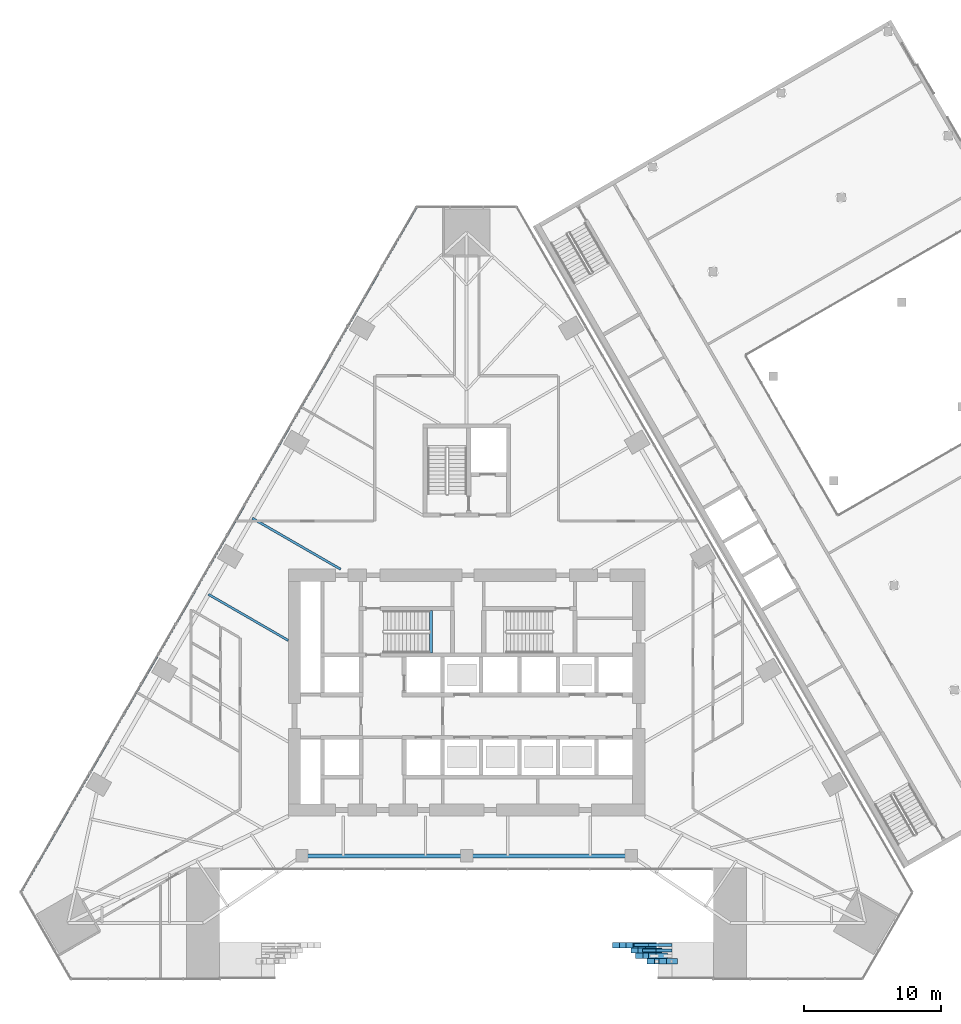
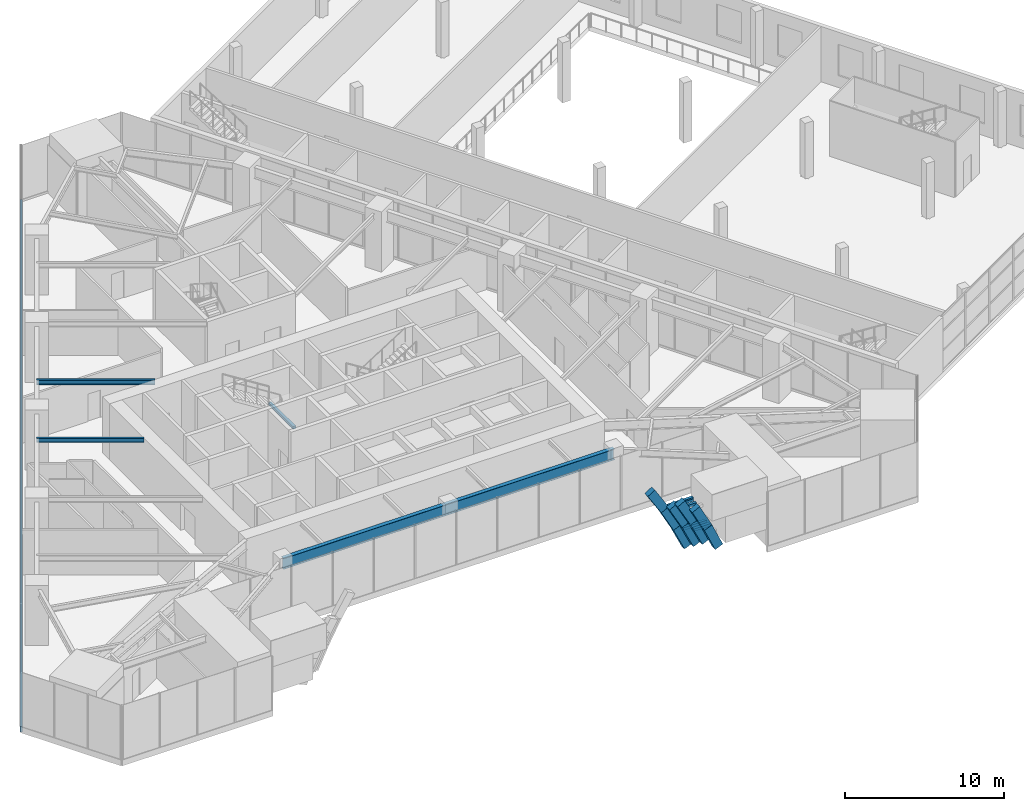
# One storey, part 5 of 30: 10 members, 9 beams, 1 element without a shape of its own.
"""IFC4 building model written with IfcOpenShell, lengths in metres."""

from ifc_helpers import new_model, si_unit, direction, frame, origin, origin_2d, place, context, subcontext, project, spatial, rectangle, i_section, extrude, material, layer, layer_set, material_profile, profile_set, type_object, element, aggregate, save


model = new_model("IFC4")

# Units and contexts
model_context = context("Model", 3, precision=1e-05, world=origin(), true_north=direction((0.0, 1.0)))
body_context = subcontext(model_context, "Body", "Model", "MODEL_VIEW")
ifc_project = project(units=[si_unit("LENGTHUNIT", "METRE"), si_unit("AREAUNIT", "SQUARE_METRE"), si_unit("VOLUMEUNIT", "CUBIC_METRE"), si_unit("PLANEANGLEUNIT", "RADIAN"), si_unit("MASSUNIT", "GRAM", prefix="KILO")], contexts=[model_context])

# Site, building, storey
site_placement = place(None, origin())
site = spatial("IfcSite", under=ifc_project, at=site_placement, CompositionType="ELEMENT")
building_placement = place(site_placement, origin())
building = spatial("IfcBuilding", under=site, at=building_placement, Name="Firuza Gate Tower and Library", CompositionType="ELEMENT")
storey_placement = place(building_placement, frame((0.0, 0.0, 12.60009765625)))
storey = spatial("IfcBuildingStorey", under=building, at=storey_placement, Name="L02", CompositionType="ELEMENT", Elevation=12.60009765625)

# Members
ifc_material_1 = material(Name="Concrete C60/75", Category="concrete")
ifc_material_profile_1 = material_profile(ifc_material_1, rectangle(XDim=0.39990234375, YDim=0.60009765625, at=origin_2d()))
ifc_profile_set_1 = profile_set([ifc_material_profile_1], Name="Concrete C60/75")
member_type_1 = type_object("IfcMemberType", Name="Arch rib 600x400", PredefinedType="USERDEFINED", material=ifc_profile_set_1)
member_1_placement = place(storey_placement, frame((88.416748046875, 55.415283203125, 3.859619140625), z_axis=(0.462587848354, 0.0, -0.886573450175), x_axis=(0.0, 1.0, 0.0)))
element("IfcMember", 1, at=member_1_placement, inside=storey, type_object=member_type_1, Name="Arch rib 1.30", ObjectType="ARCH RIB", PredefinedType="USERDEFINED", context=body_context, shape_type="SweptSolid", body=[
    extrude(rectangle(XDim=0.39990234375, YDim=0.60009765625, at=origin_2d()), origin(), (0.0, 0.0, 1.0), 1.909912109375),
])
member_2_placement = place(storey_placement, frame((89.30029296875, 55.415283203125, 2.166259765625), z_axis=(0.411692882507, 0.0, -0.911322648952), x_axis=(0.0, 1.0, 0.0)))
element("IfcMember", 2, at=member_2_placement, inside=storey, type_object=member_type_1, Name="Arch rib 1.31", ObjectType="ARCH RIB", PredefinedType="USERDEFINED", context=body_context, shape_type="SweptSolid", body=[
    extrude(rectangle(XDim=0.39990234375, YDim=0.60009765625, at=origin_2d()), origin(), (0.0, 0.0, 1.0), 1.91015625),
])
member_3_placement = place(storey_placement, frame((87.580322265625, 55.8154296875, 4.344482421875), z_axis=(0.481890268122, 0.0, -0.876231572982), x_axis=(0.0, 1.0, 0.0)))
element("IfcMember", 3, at=member_3_placement, inside=storey, type_object=member_type_1, Name="Arch rib 2.28", ObjectType="ARCH RIB", PredefinedType="USERDEFINED", context=body_context, shape_type="SweptSolid", body=[
    extrude(rectangle(XDim=0.39990234375, YDim=0.60009765625, at=origin_2d()), origin(), (0.0, 0.0, 1.0), 1.974365234375),
])
member_4_placement = place(storey_placement, frame((88.53173828125, 55.8154296875, 2.614501953125), z_axis=(0.429170304413, 0.0, -0.903223587939), x_axis=(0.0, 1.0, 0.0)))
element("IfcMember", 4, at=member_4_placement, inside=storey, type_object=member_type_1, Name="Arch rib 2.29", ObjectType="ARCH RIB", PredefinedType="USERDEFINED", context=body_context, shape_type="SweptSolid", body=[
    extrude(rectangle(XDim=0.39990234375, YDim=0.60009765625, at=origin_2d()), origin(), (0.0, 0.0, 1.0), 1.974609375),
])
for number, where, z_axis, x_axis, name in (
    (5, (87.22119140625, 56.21533203125, 4.00244140625), (0.477373396216, 0.0, -0.878700540904), (0.0, 1.0, 0.0), "Arch rib 3.28"),
    (6, (88.143798828125, 56.21533203125, 2.30419921875), (0.425200760044, 0.0, -0.905099062898), (0.0, 1.0, 0.0), "Arch rib 3.29"),
):
    element("IfcMember", number, at=place(storey_placement, frame(where, z_axis=z_axis, x_axis=x_axis)), inside=storey, type_object=member_type_1, Name=name, ObjectType="ARCH RIB", PredefinedType="USERDEFINED", context=body_context, shape_type="SweptSolid", body=[
        extrude(rectangle(XDim=0.39990234375, YDim=0.60009765625, at=origin_2d()), origin(), (0.0, 0.0, 1.0), 1.9326171875),
    ])
member_5_placement = place(storey_placement, frame((85.87255859375, 56.615478515625, 5.272705078125), z_axis=(0.52308868496, 0.0, -0.852278257183), x_axis=(0.0, 1.0, 0.0)))
element("IfcMember", 7, at=member_5_placement, inside=storey, type_object=member_type_1, Name="Arch rib 4.27", ObjectType="ARCH RIB", PredefinedType="USERDEFINED", context=body_context, shape_type="SweptSolid", body=[
    extrude(rectangle(XDim=0.39990234375, YDim=0.60009765625, at=origin_2d()), origin(), (0.0, 0.0, 1.0), 1.89111328125),
])
member_6_placement = place(storey_placement, frame((86.86181640625, 56.615478515625, 3.660888671875), z_axis=(0.472798144495, 0.0, -0.881170763565), x_axis=(0.0, 1.0, 0.0)))
element("IfcMember", 8, at=member_6_placement, inside=storey, type_object=member_type_1, Name="Arch rib 4.28", ObjectType="ARCH RIB", PredefinedType="USERDEFINED", context=body_context, shape_type="SweptSolid", body=[
    extrude(rectangle(XDim=0.39990234375, YDim=0.60009765625, at=origin_2d()), origin(), (0.0, 0.0, 1.0), 1.890869140625),
])
member_7_placement = place(storey_placement, frame((87.755859375, 56.615478515625, 1.99462890625), z_axis=(0.420997510254, 0.0, -0.907061793022), x_axis=(0.0, 1.0, 0.0)))
element("IfcMember", 9, at=member_7_placement, inside=storey, type_object=member_type_1, Name="Arch rib 4.29", ObjectType="ARCH RIB", PredefinedType="USERDEFINED", context=body_context, shape_type="SweptSolid", body=[
    extrude(rectangle(XDim=0.39990234375, YDim=0.60009765625, at=origin_2d()), origin(), (0.0, 0.0, 1.0), 1.89111328125),
])

# Beams
ifc_material_2 = material(Name="Concrete C60/75", Category="concrete")
ifc_material_profile_2 = material_profile(ifc_material_2, rectangle(XDim=0.199951171875, YDim=0.199951171875, at=origin_2d()))
ifc_profile_set_2 = profile_set([ifc_material_profile_2], Name="Concrete C60/75")
beam_type_1 = type_object("IfcBeamType", Name="Arch rib bracket 200x200", PredefinedType="BEAM", material=ifc_profile_set_2)
beam_1_placement = place(storey_placement, frame((88.9853515625, 56.21533203125, 3.552978515625), z_axis=(-1.0, 0.0, 0.0), x_axis=(0.0, -1.0, 0.0)))
element("IfcBeam", 10, at=beam_1_placement, inside=storey, type_object=beam_type_1, Name="Arch rib bracket 3.28", PredefinedType="BEAM", context=body_context, shape_type="SweptSolid", body=[
    extrude(rectangle(XDim=0.199951171875, YDim=0.199951171875, at=origin_2d()), origin(), (0.0, 0.0, 1.0), 1.1884765625),
])
beam_2_placement = place(storey_placement, frame((89.96875, 56.21533203125, 1.594482421875), z_axis=(-1.0, 0.0, 0.0), x_axis=(0.0, -1.0, 0.0)))
element("IfcBeam", 11, at=beam_2_placement, inside=storey, type_object=beam_type_1, Name="Arch rib bracket 3.29", PredefinedType="BEAM", context=body_context, shape_type="SweptSolid", body=[
    extrude(rectangle(XDim=0.199951171875, YDim=0.199951171875, at=origin_2d()), origin(), (0.0, 0.0, 1.0), 1.169921875),
])
beam_3_placement = place(storey_placement, frame((88.9853515625, 56.615478515625, 3.7109375), z_axis=(-1.0, 0.0, 0.0), x_axis=(0.0, -1.0, 0.0)))
element("IfcBeam", 12, at=beam_3_placement, inside=storey, type_object=beam_type_1, Name="Arch rib bracket 4.27", PredefinedType="BEAM", context=body_context, shape_type="SweptSolid", body=[
    extrude(rectangle(XDim=0.199951171875, YDim=0.199951171875, at=origin_2d()), origin(), (0.0, 0.0, 1.0), 1.812255859375),
])
beam_4_placement = place(storey_placement, frame((88.9853515625, 56.615478515625, 3.61083984375), z_axis=(-1.0, 0.0, 0.0), x_axis=(0.0, -1.0, 0.0)))
element("IfcBeam", 13, at=beam_4_placement, inside=storey, type_object=beam_type_1, Name="Arch rib bracket 4.28", PredefinedType="BEAM", context=body_context, shape_type="SweptSolid", body=[
    extrude(rectangle(XDim=0.199951171875, YDim=0.199951171875, at=origin_2d()), origin(), (0.0, 0.0, 1.0), 1.766357421875),
])
beam_5_placement = place(storey_placement, frame((89.96875, 56.615478515625, 1.62158203125), z_axis=(-1.0, 0.0, 0.0), x_axis=(0.0, -1.0, 0.0)))
element("IfcBeam", 14, at=beam_5_placement, inside=storey, type_object=beam_type_1, Name="Arch rib bracket 4.29", PredefinedType="BEAM", context=body_context, shape_type="SweptSolid", body=[
    extrude(rectangle(XDim=0.199951171875, YDim=0.199951171875, at=origin_2d()), origin(), (0.0, 0.0, 1.0), 1.718994140625),
])

# Curtain wall, member
ifc_material_3 = material(Name="Aluminium 6063-T6", Category="aluminium")
ifc_layer = layer(ifc_material_3, 0.14990234375)
ifc_layer_set = layer_set([ifc_layer], Name="Stick curtain wall, podium")
curtain_wall_type = type_object("IfcCurtainWallType", Name="Stick curtain wall, podium", PredefinedType="NOTDEFINED", material=ifc_layer_set)
curtain_wall_placement = place(storey_placement, origin())
curtain_wall = element("IfcCurtainWall", 15, at=curtain_wall_placement, inside=storey, type_object=curtain_wall_type, Name="CW5 L02 W", PredefinedType="NOTDEFINED")
ifc_material_4 = material(Name="Aluminium 6063-T6", Category="aluminium")
ifc_material_profile_3 = material_profile(ifc_material_4, rectangle(XDim=0.14990234375, YDim=0.449951171875, at=origin_2d()))
ifc_profile_set_3 = profile_set([ifc_material_profile_3], Name="Aluminium 6063-T6")
member_type_2 = type_object("IfcMemberType", Name="Curtain wall transom 450x150", PredefinedType="USERDEFINED", material=ifc_profile_set_3)
member_8_placement = place(storey_placement, frame((71.356689453125, 110.408935546875, -0.0751953125), z_axis=(-0.499998069382, -0.866026518424, 0.0), x_axis=(0.866026518424, -0.499998069382, 0.0)))
member_8 = element("IfcMember", 16, at=member_8_placement, type_object=member_type_2, Name="Transom", ObjectType="TRANSOM", PredefinedType="USERDEFINED", context=body_context, shape_type="SweptSolid", body=[
    extrude(rectangle(XDim=0.14990234375, YDim=0.449951171875, at=origin_2d()), origin(), (0.0, 0.0, 1.0), 57.686767578125),
])
aggregate(curtain_wall, [member_8])

# Beams
ifc_material_5 = material(Name="Concrete C35/45", Category="concrete")
ifc_material_profile_4 = material_profile(ifc_material_5, rectangle(XDim=0.199951171875, YDim=0.199951171875, at=origin_2d()))
ifc_profile_set_4 = profile_set([ifc_material_profile_4], Name="Concrete C35/45")
beam_type_2 = type_object("IfcBeamType", Name="Stair landing bearer 200x200", PredefinedType="BEAM", material=ifc_profile_set_4)
beam_6_placement = place(storey_placement, frame((72.39990234375, 77.89990234375, 2.0), z_axis=(0.0, 1.0, 0.0), x_axis=(-1.0, 0.0, 0.0)))
element("IfcBeam", 17, at=beam_6_placement, inside=storey, type_object=beam_type_2, Name="Landing bearer L02 stair 1", PredefinedType="BEAM", context=body_context, shape_type="SweptSolid", body=[
    extrude(rectangle(XDim=0.199951171875, YDim=0.199951171875, at=origin_2d()), origin(), (0.0, 0.0, 1.0), 3.080078125),
])
ifc_material_6 = material(Name="Steel S355", Category="steel")
ifc_material_profile_5 = material_profile(ifc_material_6, i_section(OverallWidth=0.1650390625, OverallDepth=0.31005859375, WebThickness=0.005859375, FlangeThickness=0.009765625, at=origin_2d()))
ifc_profile_set_5 = profile_set([ifc_material_profile_5], Name="Steel S355")
beam_type_3 = type_object("IfcBeamType", Name="W310x39 Floor beam", PredefinedType="JOIST", material=ifc_profile_set_5)
beam_7_placement = place(storey_placement, frame((56.179443359375, 82.171142578125, 4.14501953125), z_axis=(0.866019234261, -0.500010685776, 0.0), x_axis=(0.500010685776, 0.866019234261, 0.0)))
element("IfcBeam", 18, at=beam_7_placement, inside=storey, type_object=beam_type_3, Name="Floor beam L02 s103", PredefinedType="JOIST", context=body_context, shape_type="SweptSolid", body=[
    extrude(i_section(OverallWidth=0.1650390625, OverallDepth=0.31005859375, WebThickness=0.005859375, FlangeThickness=0.009765625, at=origin_2d()), origin(), (0.0, 0.0, 1.0), 6.720947265625),
])
ifc_material_7 = material(Name="Steel S355", Category="steel")
ifc_material_profile_6 = material_profile(ifc_material_7, i_section(OverallWidth=0.1708984375, OverallDepth=0.35498046875, WebThickness=0.007080078125, FlangeThickness=0.01171875, at=origin_2d()))
ifc_profile_set_6 = profile_set([ifc_material_profile_6], Name="Steel S355")
beam_type_4 = type_object("IfcBeamType", Name="W360x51 Floor beam", PredefinedType="JOIST", material=ifc_profile_set_6)
beam_8_placement = place(storey_placement, frame((59.37939453125, 87.713623046875, 4.122314453125), z_axis=(0.866023556141, -0.500003200199, 0.0), x_axis=(0.500003200199, 0.866023556141, 0.0)))
element("IfcBeam", 19, at=beam_8_placement, inside=storey, type_object=beam_type_4, Name="Floor beam L02 s102", PredefinedType="JOIST", context=body_context, shape_type="SweptSolid", body=[
    extrude(i_section(OverallWidth=0.1708984375, OverallDepth=0.35498046875, WebThickness=0.007080078125, FlangeThickness=0.01171875, at=origin_2d()), origin(), (0.0, 0.0, 1.0), 7.42724609375),
])
ifc_material_8 = material(Name="Steel S355", Category="steel")
ifc_material_profile_7 = material_profile(ifc_material_8, i_section(OverallWidth=0.2919921875, OverallDepth=0.8349609375, WebThickness=0.013916015625, FlangeThickness=0.018798828125, at=origin_2d()))
ifc_profile_set_7 = profile_set([ifc_material_profile_7], Name="Steel S355")
beam_type_5 = type_object("IfcBeamType", Name="W840x176 Edge beam", PredefinedType="SPANDREL", material=ifc_profile_set_7)
beam_9_placement = place(storey_placement, frame((63.0, 63.115478515625, 3.88232421875), z_axis=(1.0, 0.0, 0.0), x_axis=(0.0, 1.0, 0.0)))
element("IfcBeam", 20, at=beam_9_placement, inside=storey, type_object=beam_type_5, Name="Edge beam L02 e30", PredefinedType="SPANDREL", context=body_context, shape_type="SweptSolid", body=[
    extrude(i_section(OverallWidth=0.2919921875, OverallDepth=0.8349609375, WebThickness=0.013916015625, FlangeThickness=0.018798828125, at=origin_2d()), origin(), (0.0, 0.0, 1.0), 24.0),
])

save(model, "model.ifc")
